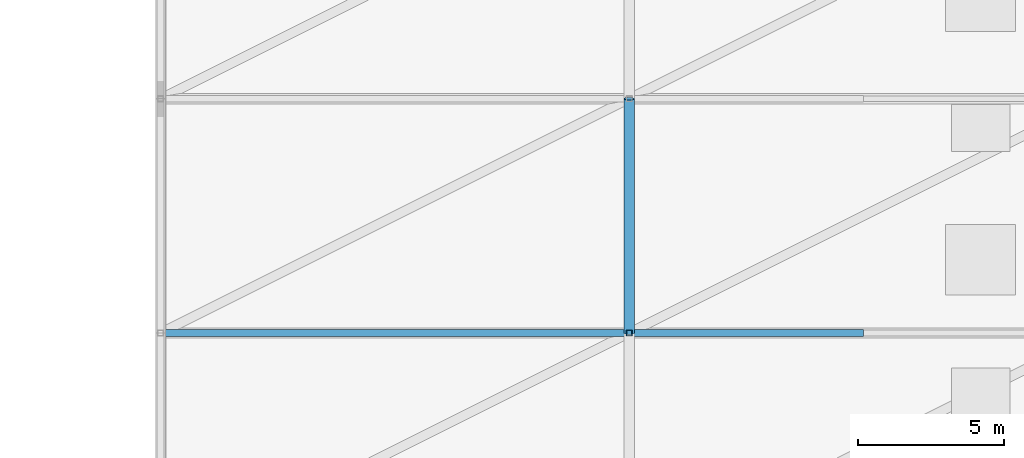
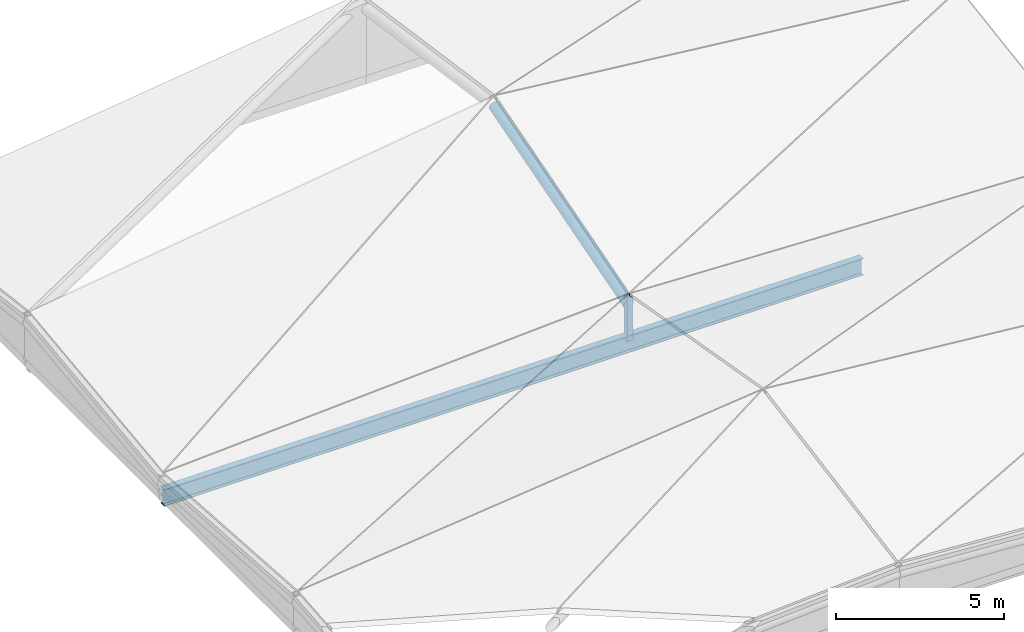
# One storey, part 23 of 44: 2 beams, 1 member.
"""IFC4 building model written with IfcOpenShell, lengths in metres."""

from ifc_helpers import new_model, si_unit, direction, frame, origin, origin_2d, place, context, subcontext, project, spatial, hollow_rectangle, hollow_circle, i_section, extrude, material, material_profile, profile_set, type_object, element, save


model = new_model("IFC4")

# Units and contexts
model_context = context("Model", 3, precision=1e-05, world=origin(), true_north=direction((0.0, 1.0)))
body_context = subcontext(model_context, "Body", "Model", "MODEL_VIEW")
ifc_project = project(units=[si_unit("LENGTHUNIT", "METRE"), si_unit("AREAUNIT", "SQUARE_METRE"), si_unit("VOLUMEUNIT", "CUBIC_METRE"), si_unit("PLANEANGLEUNIT", "RADIAN"), si_unit("MASSUNIT", "GRAM", prefix="KILO")], contexts=[model_context])

# Site, building, storey
site_placement = place(None, origin())
site = spatial("IfcSite", under=ifc_project, at=site_placement, CompositionType="ELEMENT")
building_placement = place(site_placement, origin())
building = spatial("IfcBuilding", under=site, at=building_placement, Name="Tenunan Teduh Sports Hall", CompositionType="ELEMENT")
storey_placement = place(building_placement, frame((0.0, 0.0, 19.199951171875)))
storey = spatial("IfcBuildingStorey", under=building, at=storey_placement, Name="L04", CompositionType="ELEMENT", Elevation=19.199951171875)

# Beam
ifc_material_1 = material(Name="Steel S355", Category="steel")
ifc_material_profile_1 = material_profile(ifc_material_1, hollow_circle(Radius=0.177734375, WallThickness=0.012451171875, at=origin_2d()), Name="CHS 355.6x12.5")
ifc_profile_set_1 = profile_set([ifc_material_profile_1], Name="Steel S355")
beam_type_1 = type_object("IfcBeamType", Name="GSB-CHS356", PredefinedType="BEAM", material=ifc_profile_set_1)
beam_1_placement = place(storey_placement, frame((138.0, 62.0, 0.89013671875), z_axis=(0.0, 0.959465685015, 0.281825476632), x_axis=(-1.0, 0.0, 0.0)))
element("IfcBeam", 1, at=beam_1_placement, inside=storey, type_object=beam_type_1, Name="Gridshell Vault Arch BM-GR-04-L04-0483", PredefinedType="BEAM", context=body_context, shape_type="SweptSolid", body=[
    extrude(hollow_circle(Radius=0.177734375, WallThickness=0.012451171875, at=origin_2d()), origin(), (0.0, 0.0, 1.0), 8.337890625),
])

# Member
ifc_material_2 = material(Name="Steel S355", Category="steel")
ifc_material_profile_2 = material_profile(ifc_material_2, hollow_rectangle(XDim=0.199951171875, YDim=0.199951171875, WallThickness=0.010009765625, at=origin_2d()), Name="SHS 200x200x10.0")
ifc_profile_set_2 = profile_set([ifc_material_profile_2], Name="Steel S355")
member_type = type_object("IfcMemberType", Name="MEM-ST-SHS200", PredefinedType="STRUT", material=ifc_profile_set_2)
member_placement = place(storey_placement, frame((138.0, 62.0, -0.39990234375), z_axis=(0.0, 0.0, 1.0), x_axis=(1.0, 0.0, 0.0)))
element("IfcMember", 2, at=member_placement, inside=storey, type_object=member_type, Name="MEM-VS-02-L04-0839", PredefinedType="STRUT", context=body_context, shape_type="SweptSolid", body=[
    extrude(hollow_rectangle(XDim=0.199951171875, YDim=0.199951171875, WallThickness=0.010009765625, at=origin_2d()), origin(), (0.0, 0.0, 1.0), 1.58984375),
])

# Beam
ifc_material_3 = material(Name="Steel S355", Category="steel")
ifc_material_profile_3 = material_profile(ifc_material_3, i_section(OverallWidth=0.22900390625, OverallDepth=0.6123046875, WebThickness=0.011962890625, FlangeThickness=0.01953125, FilletRadius=0.0126953125, at=origin_2d()), Name="UKB 610x229x125")
ifc_profile_set_3 = profile_set([ifc_material_profile_3], Name="Steel S355")
beam_type_2 = type_object("IfcBeamType", Name="SBM-UKB610", PredefinedType="BEAM", material=ifc_profile_set_3)
beam_2_placement = place(storey_placement, frame((122.0, 62.0, -0.5), z_axis=(1.0, 0.0, 0.0), x_axis=(0.0, 1.0, 0.0)))
element("IfcBeam", 3, at=beam_2_placement, inside=storey, type_object=beam_type_2, Name="BM-SB-06-L04-0459", PredefinedType="BEAM", context=body_context, shape_type="SweptSolid", body=[
    extrude(i_section(OverallWidth=0.22900390625, OverallDepth=0.6123046875, WebThickness=0.011962890625, FlangeThickness=0.01953125, FilletRadius=0.0126953125, at=origin_2d()), origin(), (0.0, 0.0, 1.0), 24.0),
])

save(model, "model.ifc")
